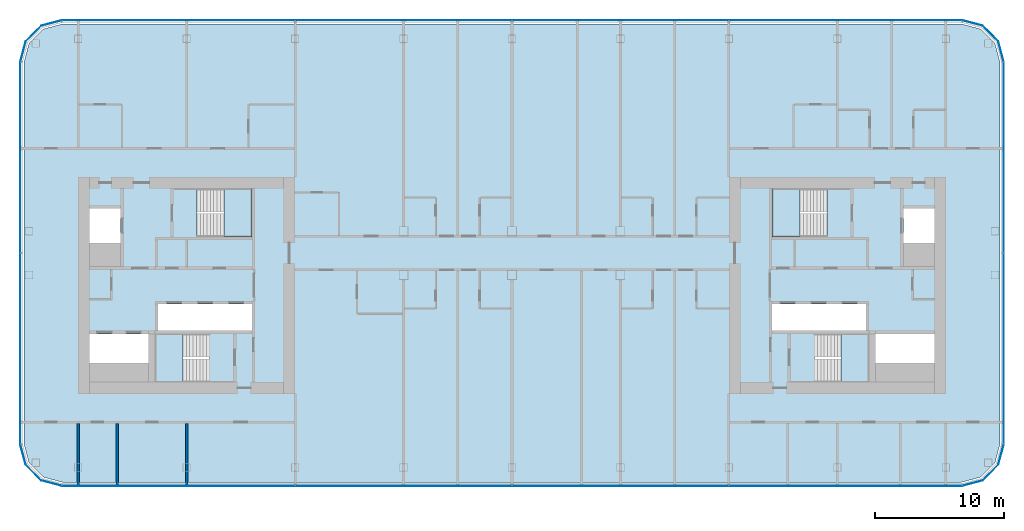
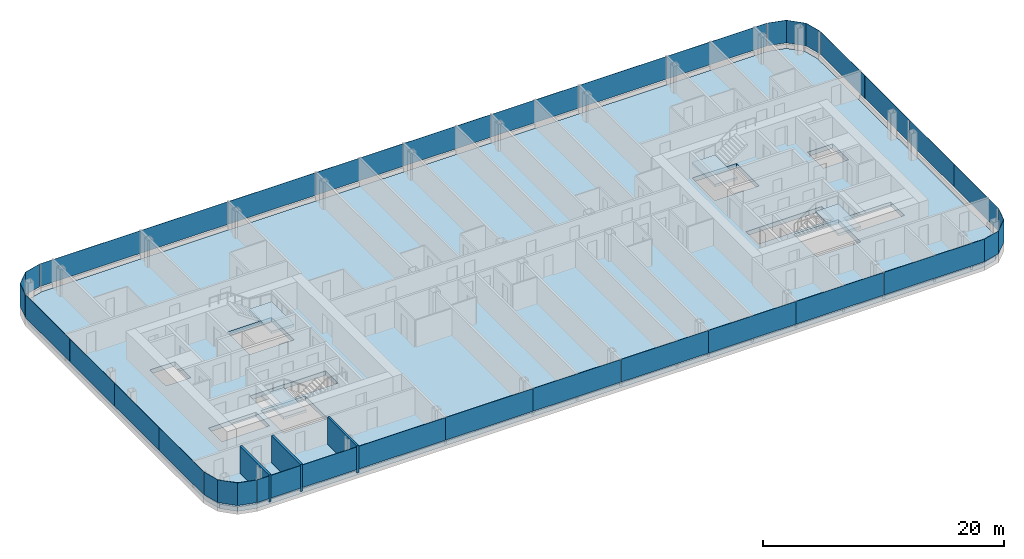
# One storey, part 12 of 26: 28 plates, 5 slabs, 3 walls, 12 elements without a shape of their own.
"""IFC4 building model written with IfcOpenShell, lengths in metres."""

from ifc_helpers import new_model, si_unit, direction, frame, frame_2d, origin, origin_2d, place, context, subcontext, project, spatial, polyline, rectangle, outline, extrude, material, layer, layer_set, type_object, element, aggregate, save


model = new_model("IFC4")

# Units and contexts
model_context = context("Model", 3, precision=1e-05, world=origin(), true_north=direction((0.0, 1.0)))
body_context = subcontext(model_context, "Body", "Model", "MODEL_VIEW")
ifc_project = project(units=[si_unit("LENGTHUNIT", "METRE"), si_unit("AREAUNIT", "SQUARE_METRE"), si_unit("VOLUMEUNIT", "CUBIC_METRE"), si_unit("PLANEANGLEUNIT", "RADIAN"), si_unit("MASSUNIT", "GRAM", prefix="KILO")], contexts=[model_context])

# Site, building, storey
site_placement = place(None, origin())
site = spatial("IfcSite", under=ifc_project, at=site_placement, CompositionType="ELEMENT")
building_placement = place(site_placement, origin())
building = spatial("IfcBuilding", under=site, at=building_placement, Name="Hakoniwa Tower and Hamabe Station Hall", CompositionType="ELEMENT")
storey_placement = place(building_placement, frame((0.0, 0.0, 209.0)))
storey = spatial("IfcBuildingStorey", under=building, at=storey_placement, Name="L59", CompositionType="ELEMENT", Elevation=209.0)

# Stair, slab
ifc_material_1 = material(Name="Concrete C40", Category="concrete")
stair_type = type_object("IfcStairType", Name="ESCAPE STAIR 1800", PredefinedType="HALF_TURN_STAIR", material=ifc_material_1)
stair_1_placement = place(storey_placement, origin())
stair_1 = element("IfcStair", 1, at=stair_1_placement, inside=storey, type_object=stair_type, Name="Escape stair ST-1 L59", PredefinedType="HALF_TURN_STAIR")
ifc_material_2 = material(Name="Concrete C40", Category="concrete")
ifc_layer_1 = layer(ifc_material_2, 0.25)
ifc_layer_set_1 = layer_set([ifc_layer_1], Name="CORE STAIR LANDING 250")
slab_type_1 = type_object("IfcSlabType", Name="CORE STAIR LANDING 250", PredefinedType="LANDING", material=ifc_layer_set_1)
slab_1_placement = place(storey_placement, frame((0.0, 0.0, 1.35009765625)))
slab_1 = element("IfcSlab", 2, at=slab_1_placement, type_object=slab_type_1, Name="ST-1 landing 1", PredefinedType="LANDING", context=body_context, shape_type="SweptSolid", body=[
    extrude(outline(polyline([(-22.320068359375, 3.75), (-20.14990234375, 3.75), (-20.14990234375, 7.5), (-22.320068359375, 7.5), (-22.320068359375, 3.75)])), origin(), (0.0, 0.0, 1.0), 0.25),
])
aggregate(stair_1, [slab_1])

stair_2_placement = place(storey_placement, origin())
stair_2 = element("IfcStair", 3, at=stair_2_placement, inside=storey, type_object=stair_type, Name="Escape stair ST-2 L59", PredefinedType="HALF_TURN_STAIR")
slab_2_placement = place(storey_placement, frame((0.0, 0.0, 1.35009765625)))
slab_2 = element("IfcSlab", 4, at=slab_2_placement, type_object=slab_type_1, Name="ST-2 landing 1", PredefinedType="LANDING", context=body_context, shape_type="SweptSolid", body=[
    extrude(outline(polyline([(-25.47998046875, -7.5), (-27.64990234375, -7.5), (-27.64990234375, -3.75), (-25.47998046875, -3.75), (-25.47998046875, -7.5)])), origin(), (0.0, 0.0, 1.0), 0.25),
])
aggregate(stair_2, [slab_2])

stair_3_placement = place(storey_placement, origin())
stair_3 = element("IfcStair", 5, at=stair_3_placement, inside=storey, type_object=stair_type, Name="Escape stair ST-3 L59", PredefinedType="HALF_TURN_STAIR")
slab_3_placement = place(storey_placement, frame((0.0, 0.0, 1.35009765625)))
slab_3 = element("IfcSlab", 6, at=slab_3_placement, type_object=slab_type_1, Name="ST-3 landing 1", PredefinedType="LANDING", context=body_context, shape_type="SweptSolid", body=[
    extrude(outline(polyline([(22.320068359375, 3.75), (20.14990234375, 3.75), (20.14990234375, 7.5), (22.320068359375, 7.5), (22.320068359375, 3.75)])), origin(), (0.0, 0.0, 1.0), 0.25),
])
aggregate(stair_3, [slab_3])

stair_4_placement = place(storey_placement, origin())
stair_4 = element("IfcStair", 7, at=stair_4_placement, inside=storey, type_object=stair_type, Name="Escape stair ST-4 L59", PredefinedType="HALF_TURN_STAIR")
slab_4_placement = place(storey_placement, frame((0.0, 0.0, 1.35009765625)))
slab_4 = element("IfcSlab", 8, at=slab_4_placement, type_object=slab_type_1, Name="ST-4 landing 1", PredefinedType="LANDING", context=body_context, shape_type="SweptSolid", body=[
    extrude(outline(polyline([(25.47998046875, -7.5), (27.64990234375, -7.5), (27.64990234375, -3.75), (25.47998046875, -3.75), (25.47998046875, -7.5)])), origin(), (0.0, 0.0, 1.0), 0.25),
])
aggregate(stair_4, [slab_4])

# Curtain wall, plates
ifc_material_3 = material(Name="Dark low-e laminated glass", Category="glass")
ifc_layer_2 = layer(ifc_material_3, 0.199951171875)
ifc_layer_set_2 = layer_set([ifc_layer_2], Name="CW-1 UNITISED GUEST")
curtain_wall_type = type_object("IfcCurtainWallType", Name="CW-1 UNITISED GUEST", PredefinedType="NOTDEFINED", material=ifc_layer_set_2)
curtain_wall_1_placement = place(storey_placement, origin())
curtain_wall_1 = element("IfcCurtainWall", 9, at=curtain_wall_1_placement, inside=storey, type_object=curtain_wall_type, Name="CW-1 curtain wall", PredefinedType="NOTDEFINED")
ifc_material_4 = material(Name="Dark low-e laminated glass", Category="glass")
ifc_layer_3 = layer(ifc_material_4, 0.028076171875)
ifc_layer_set_3 = layer_set([ifc_layer_3], Name="CW-1 GLASS UNIT")
plate_type = type_object("IfcPlateType", Name="CW-1 GLASS UNIT", PredefinedType="CURTAIN_PANEL", material=ifc_layer_set_3)
plate_1_placement = place(storey_placement, frame((38.0859375, -8.592041015625, 0.35009765625), z_axis=(0.0, 0.0, 1.0), x_axis=(0.0, 1.0, 0.0)))
plate_1 = element("IfcPlate", 10, at=plate_1_placement, type_object=plate_type, Name="CW-1 glass unit", PredefinedType="CURTAIN_PANEL", context=body_context, shape_type="SweptSolid", body=[
    extrude(rectangle(XDim=7.374755859375, YDim=0.028076171875, at=origin_2d()), origin(), (0.0, 0.0, 1.0), 2.300048828125),
])
plate_2_placement = place(storey_placement, frame((38.0859375, -1.197265625, 0.35009765625), z_axis=(0.0, 0.0, 1.0), x_axis=(0.0, 1.0, 0.0)))
plate_2 = element("IfcPlate", 11, at=plate_2_placement, type_object=plate_type, Name="CW-1 glass unit", PredefinedType="CURTAIN_PANEL", context=body_context, shape_type="SweptSolid", body=[
    extrude(rectangle(XDim=7.374755859375, YDim=0.028076171875, at=origin_2d()), origin(), (0.0, 0.0, 1.0), 2.300048828125),
])
plate_3_placement = place(storey_placement, frame((38.0859375, 6.197265625, 0.35009765625), z_axis=(0.0, 0.0, 1.0), x_axis=(0.0, 1.0, 0.0)))
plate_3 = element("IfcPlate", 12, at=plate_3_placement, type_object=plate_type, Name="CW-1 glass unit", PredefinedType="CURTAIN_PANEL", context=body_context, shape_type="SweptSolid", body=[
    extrude(rectangle(XDim=7.374755859375, YDim=0.028076171875, at=origin_2d()), origin(), (0.0, 0.0, 1.0), 2.300048828125),
])
plate_4_placement = place(storey_placement, frame((38.0859375, 13.592041015625, 0.35009765625), z_axis=(0.0, 0.0, 1.0), x_axis=(0.0, 1.0, 0.0)))
plate_4 = element("IfcPlate", 13, at=plate_4_placement, type_object=plate_type, Name="CW-1 glass unit", PredefinedType="CURTAIN_PANEL", context=body_context, shape_type="SweptSolid", body=[
    extrude(rectangle(XDim=7.374755859375, YDim=0.028076171875, at=origin_2d()), origin(), (0.0, 0.0, 1.0), 2.300048828125),
])
aggregate(curtain_wall_1, [plate_1, plate_2, plate_3, plate_4])

# Curtain wall, plate
curtain_wall_2_placement = place(storey_placement, origin())
curtain_wall_2 = element("IfcCurtainWall", 14, at=curtain_wall_2_placement, inside=storey, type_object=curtain_wall_type, Name="CW-1 curtain wall", PredefinedType="NOTDEFINED")
plate_5_placement = place(storey_placement, frame((0.0, 0.0, 0.35009765625)))
plate_5 = element("IfcPlate", 15, at=plate_5_placement, type_object=plate_type, Name="CW-1 curved corner unit", PredefinedType="CURTAIN_PANEL", context=body_context, shape_type="SweptSolid", body=[
    extrude(outline(polyline([(38.089599609375, 17.328125), (37.6669921875, 18.9052734375), (36.455322265625, 20.116943359375), (34.878173828125, 20.53955078125), (34.870849609375, 20.5126953125), (36.44091796875, 20.092041015625), (37.641845703125, 18.890869140625), (38.0625, 17.32080078125), (38.089599609375, 17.328125)])), origin(), (0.0, 0.0, 1.0), 2.2998046875),
])
aggregate(curtain_wall_2, [plate_5])

# Curtain wall, plates
curtain_wall_3_placement = place(storey_placement, origin())
curtain_wall_3 = element("IfcCurtainWall", 16, at=curtain_wall_3_placement, inside=storey, type_object=curtain_wall_type, Name="CW-1 curtain wall", PredefinedType="NOTDEFINED")
plate_6_placement = place(storey_placement, frame((30.019775390625, 20.535888671875, 0.35009765625), z_axis=(0.0, 0.0, 1.0), x_axis=(-1.0, 0.0, 0.0)))
plate_6 = element("IfcPlate", 17, at=plate_6_placement, type_object=plate_type, Name="CW-1 glass unit", PredefinedType="CURTAIN_PANEL", context=body_context, shape_type="SweptSolid", body=[
    extrude(rectangle(XDim=9.619384765625, YDim=0.028076171875, at=origin_2d()), origin(), (0.0, 0.0, 1.0), 2.300048828125),
])
plate_7_placement = place(storey_placement, frame((21.0, 20.535888671875, 0.35009765625), z_axis=(0.0, 0.0, 1.0), x_axis=(-1.0, 0.0, 0.0)))
plate_7 = element("IfcPlate", 18, at=plate_7_placement, type_object=plate_type, Name="CW-1 glass unit", PredefinedType="CURTAIN_PANEL", context=body_context, shape_type="SweptSolid", body=[
    extrude(rectangle(XDim=8.3798828125, YDim=0.028076171875, at=origin_2d()), origin(), (0.0, 0.0, 1.0), 2.300048828125),
])
plate_8_placement = place(storey_placement, frame((12.60009765625, 20.535888671875, 0.35009765625), z_axis=(0.0, 0.0, 1.0), x_axis=(-1.0, 0.0, 0.0)))
plate_8 = element("IfcPlate", 19, at=plate_8_placement, type_object=plate_type, Name="CW-1 glass unit", PredefinedType="CURTAIN_PANEL", context=body_context, shape_type="SweptSolid", body=[
    extrude(rectangle(XDim=8.3798828125, YDim=0.028076171875, at=origin_2d()), origin(), (0.0, 0.0, 1.0), 2.300048828125),
])
plate_9_placement = place(storey_placement, frame((4.199951171875, 20.535888671875, 0.35009765625), z_axis=(0.0, 0.0, 1.0), x_axis=(-1.0, 0.0, 0.0)))
plate_9 = element("IfcPlate", 20, at=plate_9_placement, type_object=plate_type, Name="CW-1 glass unit", PredefinedType="CURTAIN_PANEL", context=body_context, shape_type="SweptSolid", body=[
    extrude(rectangle(XDim=8.3798828125, YDim=0.028076171875, at=origin_2d()), origin(), (0.0, 0.0, 1.0), 2.300048828125),
])
plate_10_placement = place(storey_placement, frame((-4.199951171875, 20.535888671875, 0.35009765625), z_axis=(0.0, 0.0, 1.0), x_axis=(-1.0, 0.0, 0.0)))
plate_10 = element("IfcPlate", 21, at=plate_10_placement, type_object=plate_type, Name="CW-1 glass unit", PredefinedType="CURTAIN_PANEL", context=body_context, shape_type="SweptSolid", body=[
    extrude(rectangle(XDim=8.3798828125, YDim=0.028076171875, at=origin_2d()), origin(), (0.0, 0.0, 1.0), 2.300048828125),
])
plate_11_placement = place(storey_placement, frame((-12.60009765625, 20.535888671875, 0.35009765625), z_axis=(0.0, 0.0, 1.0), x_axis=(-1.0, 0.0, 0.0)))
plate_11 = element("IfcPlate", 22, at=plate_11_placement, type_object=plate_type, Name="CW-1 glass unit", PredefinedType="CURTAIN_PANEL", context=body_context, shape_type="SweptSolid", body=[
    extrude(rectangle(XDim=8.3798828125, YDim=0.028076171875, at=origin_2d()), origin(), (0.0, 0.0, 1.0), 2.300048828125),
])
plate_12_placement = place(storey_placement, frame((-21.0, 20.535888671875, 0.35009765625), z_axis=(0.0, 0.0, 1.0), x_axis=(-1.0, 0.0, 0.0)))
plate_12 = element("IfcPlate", 23, at=plate_12_placement, type_object=plate_type, Name="CW-1 glass unit", PredefinedType="CURTAIN_PANEL", context=body_context, shape_type="SweptSolid", body=[
    extrude(rectangle(XDim=8.3798828125, YDim=0.028076171875, at=origin_2d()), origin(), (0.0, 0.0, 1.0), 2.300048828125),
])
plate_13_placement = place(storey_placement, frame((-30.019775390625, 20.535888671875, 0.35009765625), z_axis=(0.0, 0.0, 1.0), x_axis=(-1.0, 0.0, 0.0)))
plate_13 = element("IfcPlate", 24, at=plate_13_placement, type_object=plate_type, Name="CW-1 glass unit", PredefinedType="CURTAIN_PANEL", context=body_context, shape_type="SweptSolid", body=[
    extrude(rectangle(XDim=9.619384765625, YDim=0.028076171875, at=origin_2d()), origin(), (0.0, 0.0, 1.0), 2.300048828125),
])
aggregate(curtain_wall_3, [plate_6, plate_7, plate_8, plate_9, plate_10, plate_11, plate_12, plate_13])

# Curtain wall, plate
curtain_wall_4_placement = place(storey_placement, origin())
curtain_wall_4 = element("IfcCurtainWall", 25, at=curtain_wall_4_placement, inside=storey, type_object=curtain_wall_type, Name="CW-1 curtain wall", PredefinedType="NOTDEFINED")
plate_14_placement = place(storey_placement, frame((0.0, 0.0, 0.35009765625)))
plate_14 = element("IfcPlate", 26, at=plate_14_placement, type_object=plate_type, Name="CW-1 curved corner unit", PredefinedType="CURTAIN_PANEL", context=body_context, shape_type="SweptSolid", body=[
    extrude(outline(polyline([(-34.878173828125, 20.53955078125), (-36.455322265625, 20.116943359375), (-37.6669921875, 18.9052734375), (-38.089599609375, 17.328125), (-38.0625, 17.32080078125), (-37.641845703125, 18.890869140625), (-36.44091796875, 20.092041015625), (-34.870849609375, 20.5126953125), (-34.878173828125, 20.53955078125)])), origin(), (0.0, 0.0, 1.0), 2.2998046875),
])
aggregate(curtain_wall_4, [plate_14])

# Curtain wall, plates
curtain_wall_5_placement = place(storey_placement, origin())
curtain_wall_5 = element("IfcCurtainWall", 27, at=curtain_wall_5_placement, inside=storey, type_object=curtain_wall_type, Name="CW-1 curtain wall", PredefinedType="NOTDEFINED")
plate_15_placement = place(storey_placement, frame((-38.0859375, 13.592041015625, 0.35009765625), z_axis=(0.0, 0.0, 1.0), x_axis=(0.0, -1.0, 0.0)))
plate_15 = element("IfcPlate", 28, at=plate_15_placement, type_object=plate_type, Name="CW-1 glass unit", PredefinedType="CURTAIN_PANEL", context=body_context, shape_type="SweptSolid", body=[
    extrude(rectangle(XDim=7.374755859375, YDim=0.028076171875, at=origin_2d()), origin(), (0.0, 0.0, 1.0), 2.300048828125),
])
plate_16_placement = place(storey_placement, frame((-38.0859375, 6.197265625, 0.35009765625), z_axis=(0.0, 0.0, 1.0), x_axis=(0.0, -1.0, 0.0)))
plate_16 = element("IfcPlate", 29, at=plate_16_placement, type_object=plate_type, Name="CW-1 glass unit", PredefinedType="CURTAIN_PANEL", context=body_context, shape_type="SweptSolid", body=[
    extrude(rectangle(XDim=7.374755859375, YDim=0.028076171875, at=origin_2d()), origin(), (0.0, 0.0, 1.0), 2.300048828125),
])
plate_17_placement = place(storey_placement, frame((-38.0859375, -1.197265625, 0.35009765625), z_axis=(0.0, 0.0, 1.0), x_axis=(0.0, -1.0, 0.0)))
plate_17 = element("IfcPlate", 30, at=plate_17_placement, type_object=plate_type, Name="CW-1 glass unit", PredefinedType="CURTAIN_PANEL", context=body_context, shape_type="SweptSolid", body=[
    extrude(rectangle(XDim=7.374755859375, YDim=0.028076171875, at=origin_2d()), origin(), (0.0, 0.0, 1.0), 2.300048828125),
])
plate_18_placement = place(storey_placement, frame((-38.0859375, -8.592041015625, 0.35009765625), z_axis=(0.0, 0.0, 1.0), x_axis=(0.0, -1.0, 0.0)))
plate_18 = element("IfcPlate", 31, at=plate_18_placement, type_object=plate_type, Name="CW-1 glass unit", PredefinedType="CURTAIN_PANEL", context=body_context, shape_type="SweptSolid", body=[
    extrude(rectangle(XDim=7.374755859375, YDim=0.028076171875, at=origin_2d()), origin(), (0.0, 0.0, 1.0), 2.300048828125),
])
aggregate(curtain_wall_5, [plate_15, plate_16, plate_17, plate_18])

# Curtain wall, plate
curtain_wall_6_placement = place(storey_placement, origin())
curtain_wall_6 = element("IfcCurtainWall", 32, at=curtain_wall_6_placement, inside=storey, type_object=curtain_wall_type, Name="CW-1 curtain wall", PredefinedType="NOTDEFINED")
plate_19_placement = place(storey_placement, frame((0.0, 0.0, 0.35009765625)))
plate_19 = element("IfcPlate", 33, at=plate_19_placement, type_object=plate_type, Name="CW-1 curved corner unit", PredefinedType="CURTAIN_PANEL", context=body_context, shape_type="SweptSolid", body=[
    extrude(outline(polyline([(-38.089599609375, -12.328125), (-37.6669921875, -13.9052734375), (-36.455322265625, -15.116943359375), (-34.878173828125, -15.53955078125), (-34.870849609375, -15.5126953125), (-36.44091796875, -15.092041015625), (-37.641845703125, -13.890869140625), (-38.0625, -12.32080078125), (-38.089599609375, -12.328125)])), origin(), (0.0, 0.0, 1.0), 2.2998046875),
])
aggregate(curtain_wall_6, [plate_19])

# Curtain wall, plates
curtain_wall_7_placement = place(storey_placement, origin())
curtain_wall_7 = element("IfcCurtainWall", 34, at=curtain_wall_7_placement, inside=storey, type_object=curtain_wall_type, Name="CW-1 curtain wall", PredefinedType="NOTDEFINED")
plate_20_placement = place(storey_placement, frame((-30.019775390625, -15.535888671875, 0.35009765625), z_axis=(0.0, 0.0, 1.0), x_axis=(1.0, 0.0, 0.0)))
plate_20 = element("IfcPlate", 35, at=plate_20_placement, type_object=plate_type, Name="CW-1 glass unit", PredefinedType="CURTAIN_PANEL", context=body_context, shape_type="SweptSolid", body=[
    extrude(rectangle(XDim=9.619384765625, YDim=0.028076171875, at=origin_2d()), origin(), (0.0, 0.0, 1.0), 2.300048828125),
])
plate_21_placement = place(storey_placement, frame((-21.0, -15.535888671875, 0.35009765625), z_axis=(0.0, 0.0, 1.0), x_axis=(1.0, 0.0, 0.0)))
plate_21 = element("IfcPlate", 36, at=plate_21_placement, type_object=plate_type, Name="CW-1 glass unit", PredefinedType="CURTAIN_PANEL", context=body_context, shape_type="SweptSolid", body=[
    extrude(rectangle(XDim=8.3798828125, YDim=0.028076171875, at=origin_2d()), origin(), (0.0, 0.0, 1.0), 2.300048828125),
])
plate_22_placement = place(storey_placement, frame((-12.60009765625, -15.535888671875, 0.35009765625), z_axis=(0.0, 0.0, 1.0), x_axis=(1.0, 0.0, 0.0)))
plate_22 = element("IfcPlate", 37, at=plate_22_placement, type_object=plate_type, Name="CW-1 glass unit", PredefinedType="CURTAIN_PANEL", context=body_context, shape_type="SweptSolid", body=[
    extrude(rectangle(XDim=8.3798828125, YDim=0.028076171875, at=origin_2d()), origin(), (0.0, 0.0, 1.0), 2.300048828125),
])
plate_23_placement = place(storey_placement, frame((-4.199951171875, -15.535888671875, 0.35009765625), z_axis=(0.0, 0.0, 1.0), x_axis=(1.0, 0.0, 0.0)))
plate_23 = element("IfcPlate", 38, at=plate_23_placement, type_object=plate_type, Name="CW-1 glass unit", PredefinedType="CURTAIN_PANEL", context=body_context, shape_type="SweptSolid", body=[
    extrude(rectangle(XDim=8.3798828125, YDim=0.028076171875, at=origin_2d()), origin(), (0.0, 0.0, 1.0), 2.300048828125),
])
plate_24_placement = place(storey_placement, frame((4.199951171875, -15.535888671875, 0.35009765625), z_axis=(0.0, 0.0, 1.0), x_axis=(1.0, 0.0, 0.0)))
plate_24 = element("IfcPlate", 39, at=plate_24_placement, type_object=plate_type, Name="CW-1 glass unit", PredefinedType="CURTAIN_PANEL", context=body_context, shape_type="SweptSolid", body=[
    extrude(rectangle(XDim=8.3798828125, YDim=0.028076171875, at=origin_2d()), origin(), (0.0, 0.0, 1.0), 2.300048828125),
])
plate_25_placement = place(storey_placement, frame((12.60009765625, -15.535888671875, 0.35009765625), z_axis=(0.0, 0.0, 1.0), x_axis=(1.0, 0.0, 0.0)))
plate_25 = element("IfcPlate", 40, at=plate_25_placement, type_object=plate_type, Name="CW-1 glass unit", PredefinedType="CURTAIN_PANEL", context=body_context, shape_type="SweptSolid", body=[
    extrude(rectangle(XDim=8.3798828125, YDim=0.028076171875, at=origin_2d()), origin(), (0.0, 0.0, 1.0), 2.300048828125),
])
plate_26_placement = place(storey_placement, frame((21.0, -15.535888671875, 0.35009765625), z_axis=(0.0, 0.0, 1.0), x_axis=(1.0, 0.0, 0.0)))
plate_26 = element("IfcPlate", 41, at=plate_26_placement, type_object=plate_type, Name="CW-1 glass unit", PredefinedType="CURTAIN_PANEL", context=body_context, shape_type="SweptSolid", body=[
    extrude(rectangle(XDim=8.3798828125, YDim=0.028076171875, at=origin_2d()), origin(), (0.0, 0.0, 1.0), 2.300048828125),
])
plate_27_placement = place(storey_placement, frame((30.019775390625, -15.535888671875, 0.35009765625), z_axis=(0.0, 0.0, 1.0), x_axis=(1.0, 0.0, 0.0)))
plate_27 = element("IfcPlate", 42, at=plate_27_placement, type_object=plate_type, Name="CW-1 glass unit", PredefinedType="CURTAIN_PANEL", context=body_context, shape_type="SweptSolid", body=[
    extrude(rectangle(XDim=9.619384765625, YDim=0.028076171875, at=origin_2d()), origin(), (0.0, 0.0, 1.0), 2.300048828125),
])
aggregate(curtain_wall_7, [plate_20, plate_21, plate_22, plate_23, plate_24, plate_25, plate_26, plate_27])

# Curtain wall, plate
curtain_wall_8_placement = place(storey_placement, origin())
curtain_wall_8 = element("IfcCurtainWall", 43, at=curtain_wall_8_placement, inside=storey, type_object=curtain_wall_type, Name="CW-1 curtain wall", PredefinedType="NOTDEFINED")
plate_28_placement = place(storey_placement, frame((0.0, 0.0, 0.35009765625)))
plate_28 = element("IfcPlate", 44, at=plate_28_placement, type_object=plate_type, Name="CW-1 curved corner unit", PredefinedType="CURTAIN_PANEL", context=body_context, shape_type="SweptSolid", body=[
    extrude(outline(polyline([(34.878173828125, -15.53955078125), (36.455322265625, -15.116943359375), (37.6669921875, -13.9052734375), (38.089599609375, -12.328125), (38.0625, -12.32080078125), (37.641845703125, -13.890869140625), (36.44091796875, -15.092041015625), (34.870849609375, -15.5126953125), (34.878173828125, -15.53955078125)])), origin(), (0.0, 0.0, 1.0), 2.2998046875),
])
aggregate(curtain_wall_8, [plate_28])

# Slab
ifc_material_5 = material(Name="Concrete C42", Category="concrete")
ifc_layer_4 = layer(ifc_material_5, 0.449951171875)
ifc_layer_set_4 = layer_set([ifc_layer_4], Name="PT FLAT PLATE 450")
slab_type_2 = type_object("IfcSlabType", Name="PT FLAT PLATE 450", PredefinedType="FLOOR", material=ifc_layer_set_4)
slab_5_placement = place(storey_placement, frame((0.0, 0.0, -0.449951171875)))
element("IfcSlab", 45, at=slab_5_placement, inside=storey, type_object=slab_type_2, Name="Floor slab L59", PredefinedType="FLOOR", context=body_context, shape_type="SweptSolid", body=[
    extrude(outline(polyline([(37.800048828125, -12.25), (37.800048828125, 17.25), (37.398193359375, 18.75), (36.300048828125, 19.84814453125), (34.800048828125, 20.25), (-34.800048828125, 20.25), (-36.300048828125, 19.84814453125), (-37.398193359375, 18.75), (-37.800048828125, 17.25), (-37.800048828125, -12.25), (-37.398193359375, -13.75), (-36.300048828125, -14.84814453125), (-34.800048828125, -15.25), (34.800048828125, -15.25), (36.300048828125, -14.84814453125), (37.398193359375, -13.75), (37.800048828125, -12.25)]), holes=[polyline([(-27.39990234375, -3.5), (-27.39990234375, -1.449951171875), (-20.14990234375, -1.449951171875), (-20.14990234375, -3.5), (-27.39990234375, -3.5)]), polyline([(-32.699951171875, 3.300048828125), (-32.699951171875, 5.949951171875), (-30.300048828125, 5.949951171875), (-30.300048828125, 3.300048828125), (-32.699951171875, 3.300048828125)]), polyline([(-32.699951171875, -6.0), (-32.699951171875, -3.75), (-28.14990234375, -3.75), (-28.14990234375, -6.0), (-32.699951171875, -6.0)]), polyline([(-24.389892578125, 3.75), (-24.389892578125, 7.5), (-20.14990234375, 7.5), (-20.14990234375, 3.75), (-24.389892578125, 3.75)]), polyline([(-27.64990234375, -7.5), (-27.64990234375, -3.75), (-23.409912109375, -3.75), (-23.409912109375, -7.5), (-27.64990234375, -7.5)]), polyline([(20.14990234375, -3.5), (20.14990234375, -1.449951171875), (27.39990234375, -1.449951171875), (27.39990234375, -3.5), (20.14990234375, -3.5)]), polyline([(30.300048828125, 3.300048828125), (30.300048828125, 5.949951171875), (32.699951171875, 5.949951171875), (32.699951171875, 3.300048828125), (30.300048828125, 3.300048828125)]), polyline([(28.14990234375, -6.0), (28.14990234375, -3.75), (32.699951171875, -3.75), (32.699951171875, -6.0), (28.14990234375, -6.0)]), polyline([(20.14990234375, 3.75), (20.14990234375, 7.5), (24.389892578125, 7.5), (24.389892578125, 3.75), (20.14990234375, 3.75)]), polyline([(23.409912109375, -7.5), (23.409912109375, -3.75), (27.64990234375, -3.75), (27.64990234375, -7.5), (23.409912109375, -7.5)])]), origin(), (0.0, 0.0, 1.0), 0.449951171875),
])

# Walls
ifc_material_6 = material(Name="Fire-rated gypsum board partition", Category="gypsum")
ifc_layer_5 = layer(ifc_material_6, 0.199951171875)
ifc_layer_set_5 = layer_set([ifc_layer_5], Name="Party Wall 200")
wall_type = type_object("IfcWallType", Name="Party Wall 200", PredefinedType="PARTITIONING", material=ifc_layer_set_5)
for number, where, z_axis, x_axis, name in (
    (46, (-33.60009765625, -15.550048828125, 0.0), (0.0, 0.0, 1.0), (0.0, 1.0, 0.0), "GW-L59-022"),
    (47, (-30.580078125, -15.550048828125, 0.0), (0.0, 0.0, 1.0), (0.0, 1.0, 0.0), "GW-L59-024"),
    (48, (-25.199951171875, -15.550048828125, 0.0), (0.0, 0.0, 1.0), (0.0, 1.0, 0.0), "GW-L59-026"),
):
    element("IfcWall", number, at=place(storey_placement, frame(where, z_axis=z_axis, x_axis=x_axis)), inside=storey, type_object=wall_type, Name=name, PredefinedType="PARTITIONING", context=body_context, shape_type="SweptSolid", body=[
        extrude(rectangle(XDim=4.85009765625, YDim=0.199951171875, at=frame_2d((2.425048828125, 0.0))), origin(), (0.0, 0.0, 1.0), 2.75),
    ])

save(model, "model.ifc")
